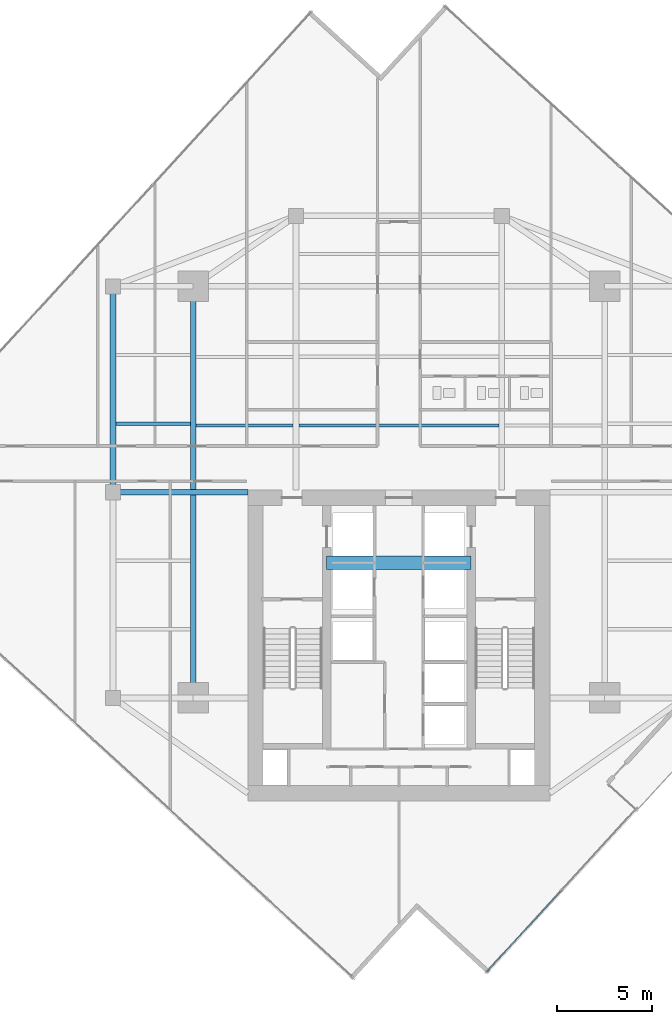
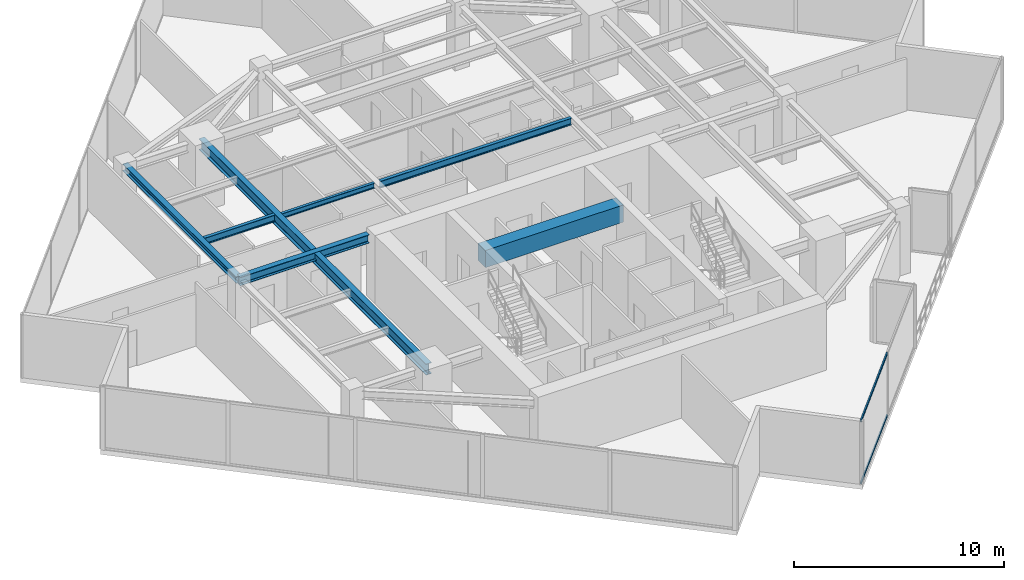
# One storey, part 9 of 26: 7 beams, 2 members, 1 element without a shape of its own.
"""IFC4 building model written with IfcOpenShell, lengths in metres."""

from ifc_helpers import new_model, si_unit, direction, frame, origin, origin_2d, place, context, subcontext, project, spatial, rectangle, hollow_rectangle, i_section, extrude, source, transform, mapped, material, material_profile, profile_set, type_object, type_shapes, element, aggregate, save


model = new_model("IFC4")

# Units and contexts
model_context = context("Model", 3, precision=1e-05, world=origin(), true_north=direction((0.0, 1.0)))
body_context = subcontext(model_context, "Body", "Model", "MODEL_VIEW")
ifc_project = project(units=[si_unit("LENGTHUNIT", "METRE"), si_unit("AREAUNIT", "SQUARE_METRE"), si_unit("VOLUMEUNIT", "CUBIC_METRE"), si_unit("PLANEANGLEUNIT", "RADIAN"), si_unit("MASSUNIT", "GRAM", prefix="KILO")], contexts=[model_context])

# Site, building, storey
site_placement = place(None, origin())
site = spatial("IfcSite", under=ifc_project, at=site_placement, CompositionType="ELEMENT")
building_placement = place(site_placement, origin())
building = spatial("IfcBuilding", under=site, at=building_placement, Name="Krantzveldt Concourse Tower", CompositionType="ELEMENT")
storey_placement = place(building_placement, frame((0.0, 0.0, 219.14990234375)))
storey = spatial("IfcBuildingStorey", under=building, at=storey_placement, Name="L53", CompositionType="ELEMENT", Elevation=219.14990234375)

# Beams
ifc_material_1 = material(Name="Steel S355JR", Category="steel")
ifc_material_profile_1 = material_profile(ifc_material_1, i_section(OverallWidth=0.300048828125, OverallDepth=0.639892578125, WebThickness=0.013427734375, FlangeThickness=0.02587890625, FilletRadius=0.027099609375, at=origin_2d()), Name="Steel S355JR", Category="steel")
ifc_profile_set_1 = profile_set([ifc_material_profile_1], Name="Steel S355JR - HEA 650")
beam_type_1 = type_object("IfcBeamType", Name="BM-B-HEA650", PredefinedType="BEAM", material=ifc_profile_set_1)
shared_shape_1 = source(origin(), body_context, "Body", "SweptSolid", [
    extrude(i_section(OverallWidth=0.300048828125, OverallDepth=0.639892578125, WebThickness=0.013427734375, FlangeThickness=0.02587890625, FilletRadius=0.027099609375, at=origin_2d()), origin(), (0.0, 0.0, 1.0), 21.60009765625),
])
type_shapes(beam_type_1, [shared_shape_1])
beam_1_placement = place(storey_placement, frame((25.199951171875, 15.89990234375, 3.35009765625), z_axis=(0.0, 1.0, 0.0), x_axis=(-1.0, 0.0, 0.0)))
element("IfcBeam", 1, at=beam_1_placement, inside=storey, type_object=beam_type_1, Name="L53 Tower Girder BG-MW", PredefinedType="BEAM", context=body_context, shape_type="MappedRepresentation", body=[
    mapped(shared_shape_1, transform((0.0, 0.0, 0.0), x_axis=(1.0, 0.0, 0.0), y_axis=(0.0, 1.0, 0.0), z_axis=(0.0, 0.0, 1.0), scale=1.0)),
])
ifc_material_profile_2 = material_profile(ifc_material_1, i_section(OverallWidth=0.179931640625, OverallDepth=0.39990234375, WebThickness=0.008544921875, FlangeThickness=0.013427734375, FilletRadius=0.02099609375, at=origin_2d()), Name="Steel S355JR", Category="steel")
ifc_profile_set_2 = profile_set([ifc_material_profile_2], Name="Steel S355JR - IPE 400")
beam_type_2 = type_object("IfcBeamType", Name="BM-J-IPE400", PredefinedType="JOIST", material=ifc_profile_set_2)
shared_shape_2 = source(origin(), body_context, "Body", "SweptSolid", [
    extrude(i_section(OverallWidth=0.179931640625, OverallDepth=0.39990234375, WebThickness=0.008544921875, FlangeThickness=0.013427734375, FilletRadius=0.02099609375, at=origin_2d()), origin(), (0.0, 0.0, 1.0), 10.5),
])
beam_2_placement = place(storey_placement, frame((30.75, 30.199951171875, 3.47021484375), z_axis=(1.0, 0.0, 0.0), x_axis=(0.0, 1.0, 0.0)))
element("IfcBeam", 2, at=beam_2_placement, inside=storey, type_object=beam_type_2, Name="L53 Secondary Floor Joist JN-C1", PredefinedType="JOIST", context=body_context, shape_type="MappedRepresentation", body=[
    mapped(shared_shape_2, transform((0.0, 0.0, 0.0), x_axis=(1.0, 0.0, 0.0), y_axis=(0.0, 1.0, 0.0), z_axis=(0.0, 0.0, 1.0), scale=1.0)),
])
ifc_material_2 = material(Name="Concrete C50/60", Category="concrete")
ifc_material_profile_3 = material_profile(ifc_material_2, rectangle(XDim=0.699951171875, YDim=1.0, at=origin_2d()), Name="Concrete C50/60", Category="concrete")
ifc_profile_set_3 = profile_set([ifc_material_profile_3], Name="Concrete C50/60 - RC-CB 700x1000")
beam_type_3 = type_object("IfcBeamType", Name="BM-CB-1000", PredefinedType="LINTEL", material=ifc_profile_set_3)
shared_shape_3 = source(origin(), body_context, "Body", "SweptSolid", [
    extrude(rectangle(XDim=0.699951171875, YDim=1.0, at=origin_2d()), origin(), (0.0, 0.0, 1.0), 7.580078125),
])
type_shapes(beam_type_3, [shared_shape_3])
beam_3_placement = place(storey_placement, frame((32.2099609375, 23.0, 3.170166015625), z_axis=(1.0, 0.0, 0.0), x_axis=(0.0, 1.0, 0.0)))
element("IfcBeam", 3, at=beam_3_placement, inside=storey, type_object=beam_type_3, Name="CB-L53-01", PredefinedType="LINTEL", context=body_context, shape_type="MappedRepresentation", body=[
    mapped(shared_shape_3, transform((0.0, 0.0, 0.0), x_axis=(1.0, 0.0, 0.0), y_axis=(0.0, 1.0, 0.0), z_axis=(0.0, 0.0, 1.0), scale=1.0)),
])
ifc_material_profile_4 = material_profile(ifc_material_1, i_section(OverallWidth=0.300048828125, OverallDepth=0.389892578125, WebThickness=0.010986328125, FlangeThickness=0.01904296875, FilletRadius=0.027099609375, at=origin_2d()), Name="Steel S355JR", Category="steel")
ifc_profile_set_4 = profile_set([ifc_material_profile_4], Name="Steel S355JR - HEA 400")
beam_type_4 = type_object("IfcBeamType", Name="BM-SP-HEA400", PredefinedType="SPANDREL", material=ifc_profile_set_4)
shared_shape_4 = source(origin(), body_context, "Body", "SweptSolid", [
    extrude(i_section(OverallWidth=0.300048828125, OverallDepth=0.389892578125, WebThickness=0.010986328125, FlangeThickness=0.01904296875, FilletRadius=0.027099609375, at=origin_2d()), origin(), (0.0, 0.0, 1.0), 10.800048828125),
])
type_shapes(beam_type_4, [shared_shape_4])
beam_4_placement = place(storey_placement, frame((21.0, 26.699951171875, 3.47509765625), z_axis=(0.0, 1.0, 0.0), x_axis=(-1.0, 0.0, 0.0)))
element("IfcBeam", 4, at=beam_4_placement, inside=storey, type_object=beam_type_4, Name="L53 Tower Girder SP-R02", PredefinedType="SPANDREL", context=body_context, shape_type="MappedRepresentation", body=[
    mapped(shared_shape_4, transform((0.0, 0.0, 0.0), x_axis=(1.0, 0.0, 0.0), y_axis=(0.0, 1.0, 0.0), z_axis=(0.0, 0.0, 1.0), scale=1.0)),
])
ifc_material_profile_5 = material_profile(ifc_material_1, i_section(OverallWidth=0.300048828125, OverallDepth=0.489990234375, WebThickness=0.011962890625, FlangeThickness=0.02294921875, FilletRadius=0.027099609375, at=origin_2d()), Name="Steel S355JR", Category="steel")
ifc_profile_set_5 = profile_set([ifc_material_profile_5], Name="Steel S355JR - HEA 500")
beam_type_5 = type_object("IfcBeamType", Name="BM-B-HEA500", PredefinedType="BEAM", material=ifc_profile_set_5)
shared_shape_5 = source(origin(), body_context, "Body", "SweptSolid", [
    extrude(i_section(OverallWidth=0.300048828125, OverallDepth=0.489990234375, WebThickness=0.011962890625, FlangeThickness=0.02294921875, FilletRadius=0.027099609375, at=origin_2d()), origin(), (0.0, 0.0, 1.0), 7.080078125),
])
type_shapes(beam_type_5, [shared_shape_5])
beam_5_placement = place(storey_placement, frame((21.0, 26.699951171875, 3.425048828125), z_axis=(1.0, 0.0, 0.0), x_axis=(0.0, 1.0, 0.0)))
element("IfcBeam", 5, at=beam_5_placement, inside=storey, type_object=beam_type_5, Name="L53 Tower Girder BG-CW2", PredefinedType="BEAM", context=body_context, shape_type="MappedRepresentation", body=[
    mapped(shared_shape_5, transform((0.0, 0.0, 0.0), x_axis=(1.0, 0.0, 0.0), y_axis=(0.0, 1.0, 0.0), z_axis=(0.0, 0.0, 1.0), scale=1.0)),
])
ifc_material_profile_6 = material_profile(ifc_material_1, i_section(OverallWidth=0.14990234375, OverallDepth=0.300048828125, WebThickness=0.007080078125, FlangeThickness=0.0107421875, FilletRadius=0.014892578125, at=origin_2d()), Name="Steel S355JR", Category="steel")
ifc_profile_set_6 = profile_set([ifc_material_profile_6], Name="Steel S355JR - IPE 300")
beam_type_6 = type_object("IfcBeamType", Name="BM-J-IPE300", PredefinedType="JOIST", material=ifc_profile_set_6)
shared_shape_6 = source(origin(), body_context, "Body", "SweptSolid", [
    extrude(i_section(OverallWidth=0.14990234375, OverallDepth=0.300048828125, WebThickness=0.007080078125, FlangeThickness=0.0107421875, FilletRadius=0.014892578125, at=origin_2d()), origin(), (0.0, 0.0, 1.0), 5.099853515625),
])
type_shapes(beam_type_6, [shared_shape_6])
beam_6_placement = place(storey_placement, frame((25.35009765625, 30.199951171875, 3.52001953125), z_axis=(1.0, 0.0, 0.0), x_axis=(0.0, 1.0, 0.0)))
element("IfcBeam", 6, at=beam_6_placement, inside=storey, type_object=beam_type_6, Name="L53 Secondary Floor Joist JN-W1", PredefinedType="JOIST", context=body_context, shape_type="MappedRepresentation", body=[
    mapped(shared_shape_6, transform((0.0, 0.0, 0.0), x_axis=(1.0, 0.0, 0.0), y_axis=(0.0, 1.0, 0.0), z_axis=(0.0, 0.0, 1.0), scale=1.0)),
])
shared_shape_7 = source(origin(), body_context, "Body", "SweptSolid", [
    extrude(i_section(OverallWidth=0.179931640625, OverallDepth=0.39990234375, WebThickness=0.008544921875, FlangeThickness=0.013427734375, FilletRadius=0.02099609375, at=origin_2d()), origin(), (0.0, 0.0, 1.0), 3.900146484375),
])
type_shapes(beam_type_2, [shared_shape_2, shared_shape_7])
beam_7_placement = place(storey_placement, frame((21.14990234375, 30.300048828125, 3.47021484375), z_axis=(1.0, 0.0, 0.0), x_axis=(0.0, 1.0, 0.0)))
element("IfcBeam", 7, at=beam_7_placement, inside=storey, type_object=beam_type_2, Name="L53 Secondary Floor Joist JW-3", PredefinedType="JOIST", context=body_context, shape_type="MappedRepresentation", body=[
    mapped(shared_shape_7, transform((0.0, 0.0, 0.0), x_axis=(1.0, 0.0, 0.0), y_axis=(0.0, 1.0, 0.0), z_axis=(0.0, 0.0, 1.0), scale=1.0)),
])

# Curtain wall, members
ifc_material_3 = material(Name="Anodised aluminium 6063-T6", Category="aluminium")
curtain_wall_type = type_object("IfcCurtainWallType", Name="CW3", PredefinedType="USERDEFINED", material=ifc_material_3)
curtain_wall_placement = place(storey_placement, origin())
curtain_wall = element("IfcCurtainWall", 8, at=curtain_wall_placement, inside=storey, type_object=curtain_wall_type, Name="CW-L53-F07", ObjectType="UNITISED CURTAIN WALL", PredefinedType="USERDEFINED")
ifc_material_profile_7 = material_profile(ifc_material_3, hollow_rectangle(XDim=0.070068359375, YDim=0.139892578125, WallThickness=0.0048828125, at=origin_2d()), Name="Anodised aluminium 6063-T6", Category="aluminium")
ifc_profile_set_7 = profile_set([ifc_material_profile_7], Name="Anodised aluminium 6063-T6 - ALU-TRAN 140x70x5")
member_type = type_object("IfcMemberType", Name="CW-TRN-150", PredefinedType="USERDEFINED", material=ifc_profile_set_7)
shared_shape_8 = source(origin(), body_context, "Body", "SweptSolid", [
    extrude(hollow_rectangle(XDim=0.070068359375, YDim=0.139892578125, WallThickness=0.0048828125, at=origin_2d()), origin(), (0.0, 0.0, 1.0), 5.7451171875),
])
type_shapes(member_type, [shared_shape_8])
member_1_placement = place(storey_placement, frame((40.62353515625, 1.534912109375, 0.03515625), z_axis=(0.675559117581, 0.737305824372, 0.0), x_axis=(-0.737305824372, 0.675559117581, 0.0)))
member_1 = element("IfcMember", 9, at=member_1_placement, type_object=member_type, Name="CW-Z34 transom 1.1", ObjectType="TRANSOM", PredefinedType="USERDEFINED", context=body_context, shape_type="MappedRepresentation", body=[
    mapped(shared_shape_8, transform((0.0, 0.0, 0.0), x_axis=(1.0, 0.0, 0.0), y_axis=(0.0, 1.0, 0.0), z_axis=(0.0, 0.0, 1.0), scale=1.0)),
])
member_2_placement = place(storey_placement, frame((40.62353515625, 1.534912109375, 3.635009765625), z_axis=(0.675559117581, 0.737305824372, 0.0), x_axis=(-0.737305824372, 0.675559117581, 0.0)))
member_2 = element("IfcMember", 10, at=member_2_placement, type_object=member_type, Name="CW-Z34 transom 1.2", ObjectType="TRANSOM", PredefinedType="USERDEFINED", context=body_context, shape_type="MappedRepresentation", body=[
    mapped(shared_shape_8, transform((0.0, 0.0, 0.0), x_axis=(1.0, 0.0, 0.0), y_axis=(0.0, 1.0, 0.0), z_axis=(0.0, 0.0, 1.0), scale=1.0)),
])
aggregate(curtain_wall, [member_1, member_2])

save(model, "model.ifc")
